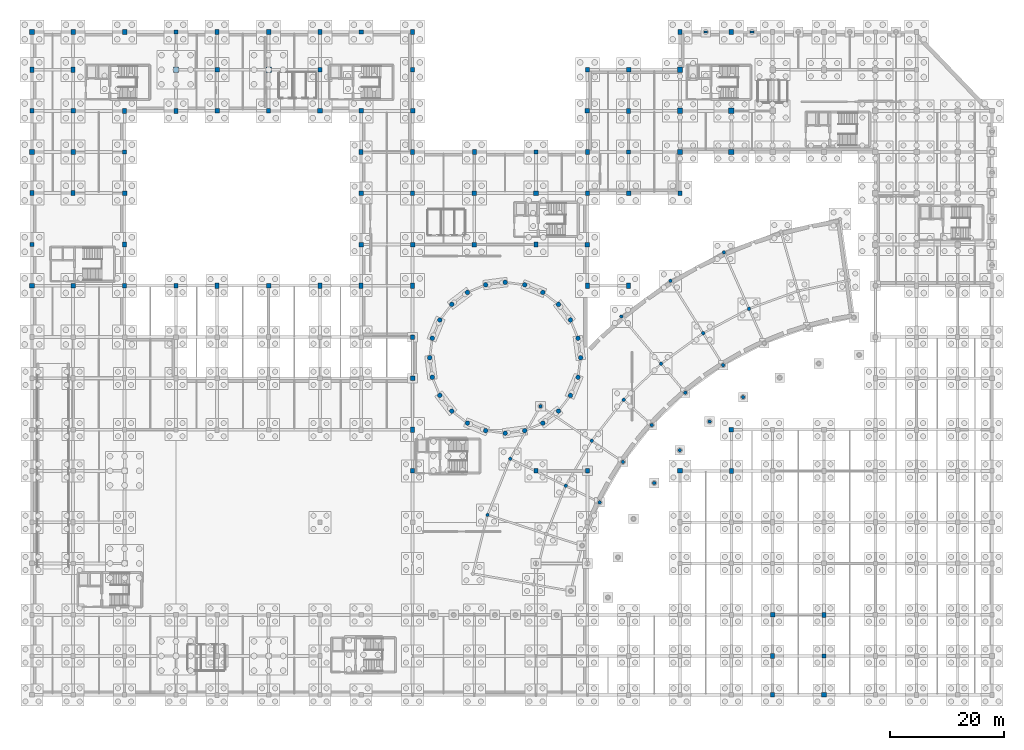
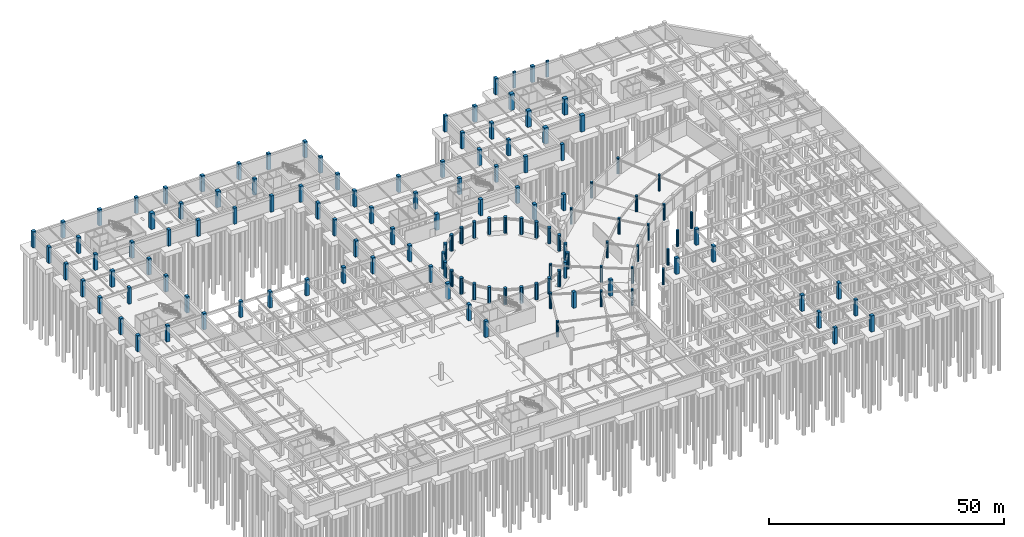
# One storey, part 15 of 42: 135 columns.
"""IFC4 building model written with IfcOpenShell, lengths in metres."""

from ifc_helpers import new_model, si_unit, direction, frame, origin, origin_2d, place, context, subcontext, project, spatial, rectangle, circle, extrude, material, material_profile, profile_set, type_object, element, save


model = new_model("IFC4")

# Units and contexts
model_context = context("Model", 3, precision=1e-05, world=origin(), true_north=direction((0.0, 1.0)))
body_context = subcontext(model_context, "Body", "Model", "MODEL_VIEW")
ifc_project = project(units=[si_unit("LENGTHUNIT", "METRE"), si_unit("AREAUNIT", "SQUARE_METRE"), si_unit("VOLUMEUNIT", "CUBIC_METRE"), si_unit("PLANEANGLEUNIT", "RADIAN"), si_unit("MASSUNIT", "GRAM", prefix="KILO")], contexts=[model_context])

# Site, building, storey
site_placement = place(None, origin())
site = spatial("IfcSite", under=ifc_project, at=site_placement, CompositionType="ELEMENT")
building_placement = place(site_placement, origin())
building = spatial("IfcBuilding", under=site, at=building_placement, Name="Clarverna Civic Hall", CompositionType="ELEMENT")
storey_placement = place(building_placement, frame((0.0, 0.0, -4.199951171875)))
storey = spatial("IfcBuildingStorey", under=building, at=storey_placement, Name="B01", CompositionType="ELEMENT", Elevation=-4.199951171875)

# Columns
ifc_material_1 = material(Name="Concrete C35/45", Category="concrete")
ifc_material_profile_1 = material_profile(ifc_material_1, circle(Radius=0.300048828125, at=origin_2d()), Name="RC D600")
ifc_profile_set_1 = profile_set([ifc_material_profile_1], Name="Concrete C35/45")
column_type_1 = type_object("IfcColumnType", Name="C-CV1", PredefinedType="COLUMN", material=ifc_profile_set_1)
for number, where, z_axis, x_axis, name in (
    (1, (125.480712890625, 67.563232421875, 0.0), (0.0, 0.0, 1.0), (1.0, 0.0, 0.0), "C-CV1-005"),
    (2, (117.44921875, 63.292724609375, 0.0), (0.0, 0.0, 1.0), (1.0, 0.0, 0.0), "C-CV1-007"),
    (3, (110.090087890625, 57.946044921875, 0.0), (0.0, 0.0, 1.0), (1.0, 0.0, 0.0), "C-CV1-009"),
    (4, (103.547119140625, 51.627197265625, 0.0), (0.0, 0.0, 1.0), (1.0, 0.0, 0.0), "C-CV1-011"),
    (5, (97.94677734375, 44.45947265625, 0.0), (0.0, 0.0, 1.0), (1.0, 0.0, 0.0), "C-CV1-013"),
    (6, (93.398681640625, 36.581787109375, 0.0), (0.0, 0.0, 1.0), (1.0, 0.0, 0.0), "C-CV1-015"),
    (7, (121.087890625, 77.429443359375, 0.0), (0.0, 0.0, 1.0), (1.0, 0.0, 0.0), "C-CV1-025"),
    (8, (111.72607421875, 72.45166015625, 0.0), (0.0, 0.0, 1.0), (1.0, 0.0, 0.0), "C-CV1-027"),
    (9, (103.148193359375, 66.219482421875, 0.0), (0.0, 0.0, 1.0), (1.0, 0.0, 0.0), "C-CV1-029"),
    (10, (88.9931640625, 50.498779296875, 0.0), (0.0, 0.0, 1.0), (1.0, 0.0, 0.0), "C-CV1-031"),
    (11, (83.691650390625, 41.316162109375, 0.0), (0.0, 0.0, 1.0), (1.0, 0.0, 0.0), "C-CV1-033"),
    (12, (79.7197265625, 31.4853515625, 0.0), (0.0, 0.0, 1.0), (1.0, 0.0, 0.0), "C-CV1-035"),
    (13, (120.94677734375, 57.695556640625, 0.0), (0.0, 0.0, 1.0), (1.0, 0.0, 0.0), "C-CV1-045"),
    (14, (114.33251953125, 52.89013671875, 0.0), (0.0, 0.0, 1.0), (1.0, 0.0, 0.0), "C-CV1-047"),
    (15, (108.45166015625, 47.211181640625, 0.0), (0.0, 0.0, 1.0), (1.0, 0.0, 0.0), "C-CV1-049"),
    (16, (103.41845703125, 40.768798828125, 0.0), (0.0, 0.0, 1.0), (1.0, 0.0, 0.0), "C-CV1-051"),
    (17, (99.330810546875, 33.6884765625, 0.0), (0.0, 0.0, 1.0), (1.0, 0.0, 0.0), "C-CV1-053"),
    (18, (124.444091796875, 52.098388671875, 0.0), (0.0, 0.0, 1.0), (1.0, 0.0, 0.0), "C-CV1-065"),
    (19, (118.574951171875, 47.834228515625, 0.0), (0.0, 0.0, 1.0), (1.0, 0.0, 0.0), "C-CV1-067"),
    (20, (113.3564453125, 42.794921875, 0.0), (0.0, 0.0, 1.0), (1.0, 0.0, 0.0), "C-CV1-069"),
    (21, (108.889892578125, 37.077880859375, 0.0), (0.0, 0.0, 1.0), (1.0, 0.0, 0.0), "C-CV1-071"),
):
    element("IfcColumn", number, at=place(storey_placement, frame(where, z_axis=z_axis, x_axis=x_axis)), inside=storey, type_object=column_type_1, Name=name, PredefinedType="COLUMN", context=body_context, shape_type="SweptSolid", body=[
        extrude(circle(Radius=0.300048828125, at=origin_2d()), origin(), (0.0, 0.0, 1.0), 4.199951171875),
    ])
ifc_material_profile_2 = material_profile(ifc_material_1, circle(Radius=0.39990234375, at=origin_2d()), Name="RC D800")
ifc_profile_set_2 = profile_set([ifc_material_profile_2], Name="Concrete C35/45")
column_type_2 = type_object("IfcColumnType", Name="C-DR1", PredefinedType="COLUMN", material=ifc_profile_set_2)
for number, where, z_axis, x_axis, name in (
    (22, (96.0, 59.0, 0.0), (0.0, 0.0, 1.0), (1.0, 0.0, 0.0), "C-DR1-001"),
    (23, (95.55029296875, 62.41650390625, 0.0), (0.0, 0.0, 1.0), (1.0, 0.0, 0.0), "C-DR1-003"),
    (24, (94.2314453125, 65.60009765625, 0.0), (0.0, 0.0, 1.0), (1.0, 0.0, 0.0), "C-DR1-005"),
    (25, (92.1337890625, 68.333740234375, 0.0), (0.0, 0.0, 1.0), (1.0, 0.0, 0.0), "C-DR1-007"),
    (26, (89.39990234375, 70.431396484375, 0.0), (0.0, 0.0, 1.0), (1.0, 0.0, 0.0), "C-DR1-009"),
    (27, (86.21630859375, 71.750244140625, 0.0), (0.0, 0.0, 1.0), (1.0, 0.0, 0.0), "C-DR1-011"),
    (28, (82.800048828125, 72.199951171875, 0.0), (0.0, 0.0, 1.0), (1.0, 0.0, 0.0), "C-DR1-013"),
    (29, (79.383544921875, 71.750244140625, 0.0), (0.0, 0.0, 1.0), (1.0, 0.0, 0.0), "C-DR1-015"),
    (30, (76.199951171875, 70.431396484375, 0.0), (0.0, 0.0, 1.0), (1.0, 0.0, 0.0), "C-DR1-017"),
    (31, (73.46630859375, 68.333740234375, 0.0), (0.0, 0.0, 1.0), (1.0, 0.0, 0.0), "C-DR1-019"),
    (32, (71.368408203125, 65.60009765625, 0.0), (0.0, 0.0, 1.0), (1.0, 0.0, 0.0), "C-DR1-021"),
    (33, (70.0498046875, 62.41650390625, 0.0), (0.0, 0.0, 1.0), (1.0, 0.0, 0.0), "C-DR1-023"),
    (34, (69.60009765625, 59.0, 0.0), (0.0, 0.0, 1.0), (1.0, 0.0, 0.0), "C-DR1-025"),
    (35, (70.0498046875, 55.58349609375, 0.0), (0.0, 0.0, 1.0), (1.0, 0.0, 0.0), "C-DR1-027"),
    (36, (71.368408203125, 52.39990234375, 0.0), (0.0, 0.0, 1.0), (1.0, 0.0, 0.0), "C-DR1-029"),
    (37, (73.46630859375, 49.666259765625, 0.0), (0.0, 0.0, 1.0), (1.0, 0.0, 0.0), "C-DR1-031"),
    (38, (76.199951171875, 47.568603515625, 0.0), (0.0, 0.0, 1.0), (1.0, 0.0, 0.0), "C-DR1-033"),
    (39, (79.383544921875, 46.249755859375, 0.0), (0.0, 0.0, 1.0), (1.0, 0.0, 0.0), "C-DR1-035"),
    (40, (82.800048828125, 45.800048828125, 0.0), (0.0, 0.0, 1.0), (1.0, 0.0, 0.0), "C-DR1-037"),
    (41, (86.21630859375, 46.249755859375, 0.0), (0.0, 0.0, 1.0), (1.0, 0.0, 0.0), "C-DR1-039"),
    (42, (89.39990234375, 47.568603515625, 0.0), (0.0, 0.0, 1.0), (1.0, 0.0, 0.0), "C-DR1-041"),
    (43, (92.1337890625, 49.666259765625, 0.0), (0.0, 0.0, 1.0), (1.0, 0.0, 0.0), "C-DR1-043"),
    (44, (94.2314453125, 52.39990234375, 0.0), (0.0, 0.0, 1.0), (1.0, 0.0, 0.0), "C-DR1-045"),
    (45, (95.55029296875, 55.58349609375, 0.0), (0.0, 0.0, 1.0), (1.0, 0.0, 0.0), "C-DR1-047"),
):
    element("IfcColumn", number, at=place(storey_placement, frame(where, z_axis=z_axis, x_axis=x_axis)), inside=storey, type_object=column_type_2, Name=name, PredefinedType="COLUMN", context=body_context, shape_type="SweptSolid", body=[
        extrude(circle(Radius=0.39990234375, at=origin_2d()), origin(), (0.0, 0.0, 1.0), 4.199951171875),
    ])
ifc_material_2 = material(Name="Precast concrete C40/50", Category="concrete")
ifc_material_profile_3 = material_profile(ifc_material_2, rectangle(XDim=0.64990234375, YDim=0.419921875, at=origin_2d()), Name="PILASTER 650x420")
ifc_profile_set_3 = profile_set([ifc_material_profile_3], Name="Precast concrete C40/50")
column_type_3 = type_object("IfcColumnType", Name="C-PL1", PredefinedType="PILASTER", material=ifc_profile_set_3)
for number, where, z_axis, x_axis, name in (
    (46, (117.89990234375, 116.0, 0.0), (0.0, 0.0, 1.0), (1.0, 0.0, 0.0), "C-PL1-001"),
    (47, (126.0, 116.0, 0.0), (0.0, 0.0, 1.0), (1.0, 0.0, 0.0), "C-PL1-008"),
):
    element("IfcColumn", number, at=place(storey_placement, frame(where, z_axis=z_axis, x_axis=x_axis)), inside=storey, type_object=column_type_3, Name=name, PredefinedType="PILASTER", context=body_context, shape_type="SweptSolid", body=[
        extrude(rectangle(XDim=0.64990234375, YDim=0.419921875, at=origin_2d()), origin(), (0.0, 0.0, 1.0), 4.199951171875),
    ])
ifc_material_3 = material(Name="Concrete C40/50", Category="concrete")
ifc_material_profile_4 = material_profile(ifc_material_3, rectangle(XDim=0.949951171875, YDim=0.949951171875, at=origin_2d()), Name="RC 950x950")
ifc_profile_set_4 = profile_set([ifc_material_profile_4], Name="Concrete C40/50")
column_type_4 = type_object("IfcColumnType", Name="C-RC1", PredefinedType="COLUMN", material=ifc_profile_set_4)
for number, where, z_axis, x_axis, name in (
    (48, (25.199951171875, 109.39990234375, 0.0), (0.0, 0.0, 1.0), (1.0, 0.0, 0.0), "C-RC1-004"),
    (49, (41.39990234375, 109.39990234375, 0.0), (0.0, 0.0, 1.0), (1.0, 0.0, 0.0), "C-RC1-006"),
    (50, (113.39990234375, 95.0, 0.0), (0.0, 0.0, 1.0), (1.0, 0.0, 0.0), "C-RC1-007"),
    (51, (113.39990234375, 102.199951171875, 0.0), (0.0, 0.0, 1.0), (1.0, 0.0, 0.0), "C-RC1-008"),
    (52, (113.39990234375, 109.39990234375, 0.0), (0.0, 0.0, 1.0), (1.0, 0.0, 0.0), "C-RC1-009"),
    (53, (122.39990234375, 95.0, 0.0), (0.0, 0.0, 1.0), (1.0, 0.0, 0.0), "C-RC1-010"),
    (54, (122.39990234375, 102.199951171875, 0.0), (0.0, 0.0, 1.0), (1.0, 0.0, 0.0), "C-RC1-011"),
):
    element("IfcColumn", number, at=place(storey_placement, frame(where, z_axis=z_axis, x_axis=x_axis)), inside=storey, type_object=column_type_4, Name=name, PredefinedType="COLUMN", context=body_context, shape_type="SweptSolid", body=[
        extrude(rectangle(XDim=0.949951171875, YDim=0.949951171875, at=origin_2d()), origin(), (0.0, 0.0, 1.0), 4.199951171875),
    ])
ifc_material_profile_5 = material_profile(ifc_material_3, rectangle(XDim=0.800048828125, YDim=0.800048828125, at=origin_2d()), Name="RC 800x800")
ifc_profile_set_5 = profile_set([ifc_material_profile_5], Name="Concrete C40/50")
column_type_5 = type_object("IfcColumnType", Name="C-RC4", PredefinedType="COLUMN", material=ifc_profile_set_5)
for number, where, z_axis, x_axis, name in (
    (55, (0.0, 71.60009765625, 0.0), (0.0, 0.0, 1.0), (1.0, 0.0, 0.0), "C-RC4-004"),
    (56, (0.0, 95.0, 0.0), (0.0, 0.0, 1.0), (1.0, 0.0, 0.0), "C-RC4-005"),
    (57, (0.0, 116.0, 0.0), (0.0, 0.0, 1.0), (1.0, 0.0, 0.0), "C-RC4-006"),
    (58, (7.199951171875, 95.0, 0.0), (0.0, 0.0, 1.0), (1.0, 0.0, 0.0), "C-RC4-010"),
    (59, (7.199951171875, 116.0, 0.0), (0.0, 0.0, 1.0), (1.0, 0.0, 0.0), "C-RC4-011"),
    (60, (16.199951171875, 87.800048828125, 0.0), (0.0, 0.0, 1.0), (1.0, 0.0, 0.0), "C-RC4-016"),
    (61, (16.199951171875, 116.0, 0.0), (0.0, 0.0, 1.0), (1.0, 0.0, 0.0), "C-RC4-017"),
    (62, (32.39990234375, 102.199951171875, 0.0), (0.0, 0.0, 1.0), (1.0, 0.0, 0.0), "C-RC4-024"),
    (63, (41.39990234375, 71.60009765625, 0.0), (0.0, 0.0, 1.0), (1.0, 0.0, 0.0), "C-RC4-028"),
    (64, (41.39990234375, 116.0, 0.0), (0.0, 0.0, 1.0), (1.0, 0.0, 0.0), "C-RC4-030"),
    (65, (50.39990234375, 102.199951171875, 0.0), (0.0, 0.0, 1.0), (1.0, 0.0, 0.0), "C-RC4-033"),
    (66, (57.60009765625, 78.800048828125, 0.0), (0.0, 0.0, 1.0), (1.0, 0.0, 0.0), "C-RC4-036"),
    (67, (57.60009765625, 102.199951171875, 0.0), (0.0, 0.0, 1.0), (1.0, 0.0, 0.0), "C-RC4-037"),
    (68, (66.60009765625, 55.39990234375, 0.0), (0.0, 0.0, 1.0), (1.0, 0.0, 0.0), "C-RC4-039"),
    (69, (66.60009765625, 78.800048828125, 0.0), (0.0, 0.0, 1.0), (1.0, 0.0, 0.0), "C-RC4-040"),
    (70, (66.60009765625, 102.199951171875, 0.0), (0.0, 0.0, 1.0), (1.0, 0.0, 0.0), "C-RC4-041"),
    (71, (77.39990234375, 78.800048828125, 0.0), (0.0, 0.0, 1.0), (1.0, 0.0, 0.0), "C-RC4-042"),
    (72, (88.199951171875, 87.800048828125, 0.0), (0.0, 0.0, 1.0), (1.0, 0.0, 0.0), "C-RC4-043"),
    (73, (97.199951171875, 78.800048828125, 0.0), (0.0, 0.0, 1.0), (1.0, 0.0, 0.0), "C-RC4-045"),
    (74, (97.199951171875, 102.199951171875, 0.0), (0.0, 0.0, 1.0), (1.0, 0.0, 0.0), "C-RC4-046"),
    (75, (104.39990234375, 87.800048828125, 0.0), (0.0, 0.0, 1.0), (1.0, 0.0, 0.0), "C-RC4-048"),
    (76, (104.39990234375, 109.39990234375, 0.0), (0.0, 0.0, 1.0), (1.0, 0.0, 0.0), "C-RC4-049"),
    (77, (113.39990234375, 39.199951171875, 0.0), (0.0, 0.0, 1.0), (1.0, 0.0, 0.0), "C-RC4-051"),
    (78, (122.39990234375, 46.39990234375, 0.0), (0.0, 0.0, 1.0), (1.0, 0.0, 0.0), "C-RC4-057"),
    (79, (122.39990234375, 116.0, 0.0), (0.0, 0.0, 1.0), (1.0, 0.0, 0.0), "C-RC4-060"),
    (80, (129.60009765625, 14.0, 0.0), (0.0, 0.0, 1.0), (1.0, 0.0, 0.0), "C-RC4-061"),
    (81, (138.60009765625, 0.0, 0.0), (0.0, 0.0, 1.0), (1.0, 0.0, 0.0), "C-RC4-066"),
):
    element("IfcColumn", number, at=place(storey_placement, frame(where, z_axis=z_axis, x_axis=x_axis)), inside=storey, type_object=column_type_5, Name=name, PredefinedType="COLUMN", context=body_context, shape_type="SweptSolid", body=[
        extrude(rectangle(XDim=0.800048828125, YDim=0.800048828125, at=origin_2d()), origin(), (0.0, 0.0, 1.0), 4.199951171875),
    ])
ifc_material_profile_6 = material_profile(ifc_material_3, rectangle(XDim=0.75, YDim=0.75, at=origin_2d()), Name="RC 750x750")
ifc_profile_set_6 = profile_set([ifc_material_profile_6], Name="Concrete C40/50")
column_type_6 = type_object("IfcColumnType", Name="C-RC5", PredefinedType="COLUMN", material=ifc_profile_set_6)
for number, where, z_axis, x_axis, name in (
    (82, (0.0, 78.800048828125, 0.0), (0.0, 0.0, 1.0), (1.0, 0.0, 0.0), "C-RC5-004"),
    (83, (0.0, 102.199951171875, 0.0), (0.0, 0.0, 1.0), (1.0, 0.0, 0.0), "C-RC5-005"),
    (84, (7.199951171875, 71.60009765625, 0.0), (0.0, 0.0, 1.0), (1.0, 0.0, 0.0), "C-RC5-009"),
    (85, (7.199951171875, 102.199951171875, 0.0), (0.0, 0.0, 1.0), (1.0, 0.0, 0.0), "C-RC5-010"),
    (86, (16.199951171875, 71.60009765625, 0.0), (0.0, 0.0, 1.0), (1.0, 0.0, 0.0), "C-RC5-015"),
    (87, (16.199951171875, 95.0, 0.0), (0.0, 0.0, 1.0), (1.0, 0.0, 0.0), "C-RC5-016"),
    (88, (25.199951171875, 71.60009765625, 0.0), (0.0, 0.0, 1.0), (1.0, 0.0, 0.0), "C-RC5-020"),
    (89, (25.199951171875, 116.0, 0.0), (0.0, 0.0, 1.0), (1.0, 0.0, 0.0), "C-RC5-022"),
    (90, (32.39990234375, 109.39990234375, 0.0), (0.0, 0.0, 1.0), (1.0, 0.0, 0.0), "C-RC5-025"),
    (91, (41.39990234375, 102.199951171875, 0.0), (0.0, 0.0, 1.0), (1.0, 0.0, 0.0), "C-RC5-028"),
    (92, (50.39990234375, 109.39990234375, 0.0), (0.0, 0.0, 1.0), (1.0, 0.0, 0.0), "C-RC5-033"),
    (93, (57.60009765625, 87.800048828125, 0.0), (0.0, 0.0, 1.0), (1.0, 0.0, 0.0), "C-RC5-036"),
    (94, (57.60009765625, 116.0, 0.0), (0.0, 0.0, 1.0), (1.0, 0.0, 0.0), "C-RC5-037"),
    (95, (66.60009765625, 39.199951171875, 0.0), (0.0, 0.0, 1.0), (1.0, 0.0, 0.0), "C-RC5-038"),
    (96, (66.60009765625, 62.60009765625, 0.0), (0.0, 0.0, 1.0), (1.0, 0.0, 0.0), "C-RC5-039"),
    (97, (66.60009765625, 87.800048828125, 0.0), (0.0, 0.0, 1.0), (1.0, 0.0, 0.0), "C-RC5-040"),
    (98, (66.60009765625, 109.39990234375, 0.0), (0.0, 0.0, 1.0), (1.0, 0.0, 0.0), "C-RC5-041"),
    (99, (77.39990234375, 87.800048828125, 0.0), (0.0, 0.0, 1.0), (1.0, 0.0, 0.0), "C-RC5-042"),
    (100, (88.199951171875, 39.199951171875, 0.0), (0.0, 0.0, 1.0), (1.0, 0.0, 0.0), "C-RC5-043"),
    (101, (88.199951171875, 95.0, 0.0), (0.0, 0.0, 1.0), (1.0, 0.0, 0.0), "C-RC5-044"),
    (102, (97.199951171875, 39.199951171875, 0.0), (0.0, 0.0, 1.0), (1.0, 0.0, 0.0), "C-RC5-045"),
    (103, (97.199951171875, 87.800048828125, 0.0), (0.0, 0.0, 1.0), (1.0, 0.0, 0.0), "C-RC5-046"),
    (104, (97.199951171875, 109.39990234375, 0.0), (0.0, 0.0, 1.0), (1.0, 0.0, 0.0), "C-RC5-047"),
    (105, (104.39990234375, 95.0, 0.0), (0.0, 0.0, 1.0), (1.0, 0.0, 0.0), "C-RC5-049"),
    (106, (113.39990234375, 87.800048828125, 0.0), (0.0, 0.0, 1.0), (1.0, 0.0, 0.0), "C-RC5-052"),
    (107, (129.60009765625, 0.0, 0.0), (0.0, 0.0, 1.0), (1.0, 0.0, 0.0), "C-RC5-060"),
    (108, (138.60009765625, 6.800048828125, 0.0), (0.0, 0.0, 1.0), (1.0, 0.0, 0.0), "C-RC5-066"),
):
    element("IfcColumn", number, at=place(storey_placement, frame(where, z_axis=z_axis, x_axis=x_axis)), inside=storey, type_object=column_type_6, Name=name, PredefinedType="COLUMN", context=body_context, shape_type="SweptSolid", body=[
        extrude(rectangle(XDim=0.75, YDim=0.75, at=origin_2d()), origin(), (0.0, 0.0, 1.0), 4.199951171875),
    ])
ifc_material_profile_7 = material_profile(ifc_material_3, rectangle(XDim=0.699951171875, YDim=0.89990234375, at=origin_2d()), Name="RC 700x900")
ifc_profile_set_7 = profile_set([ifc_material_profile_7], Name="Concrete C40/50")
column_type_7 = type_object("IfcColumnType", Name="C-RC6", PredefinedType="COLUMN", material=ifc_profile_set_7)
for number, where, z_axis, x_axis, name in (
    (109, (0.0, 87.800048828125, 0.0), (0.0, 0.0, 1.0), (1.0, 0.0, 0.0), "C-RC6-008"),
    (110, (0.0, 109.39990234375, 0.0), (0.0, 0.0, 1.0), (1.0, 0.0, 0.0), "C-RC6-010"),
    (111, (7.199951171875, 87.800048828125, 0.0), (0.0, 0.0, 1.0), (1.0, 0.0, 0.0), "C-RC6-018"),
    (112, (7.199951171875, 109.39990234375, 0.0), (0.0, 0.0, 1.0), (1.0, 0.0, 0.0), "C-RC6-020"),
    (113, (16.199951171875, 78.800048828125, 0.0), (0.0, 0.0, 1.0), (1.0, 0.0, 0.0), "C-RC6-027"),
    (114, (16.199951171875, 102.199951171875, 0.0), (0.0, 0.0, 1.0), (1.0, 0.0, 0.0), "C-RC6-029"),
    (115, (25.199951171875, 102.199951171875, 0.0), (0.0, 0.0, 1.0), (1.0, 0.0, 0.0), "C-RC6-034"),
    (116, (32.39990234375, 71.60009765625, 0.0), (0.0, 0.0, 1.0), (1.0, 0.0, 0.0), "C-RC6-038"),
    (117, (32.39990234375, 116.0, 0.0), (0.0, 0.0, 1.0), (1.0, 0.0, 0.0), "C-RC6-040"),
    (118, (50.39990234375, 71.60009765625, 0.0), (0.0, 0.0, 1.0), (1.0, 0.0, 0.0), "C-RC6-051"),
    (119, (50.39990234375, 116.0, 0.0), (0.0, 0.0, 1.0), (1.0, 0.0, 0.0), "C-RC6-053"),
    (120, (57.60009765625, 71.60009765625, 0.0), (0.0, 0.0, 1.0), (1.0, 0.0, 0.0), "C-RC6-057"),
    (121, (57.60009765625, 95.0, 0.0), (0.0, 0.0, 1.0), (1.0, 0.0, 0.0), "C-RC6-059"),
    (122, (66.60009765625, 46.39990234375, 0.0), (0.0, 0.0, 1.0), (1.0, 0.0, 0.0), "C-RC6-062"),
    (123, (66.60009765625, 71.60009765625, 0.0), (0.0, 0.0, 1.0), (1.0, 0.0, 0.0), "C-RC6-064"),
    (124, (66.60009765625, 95.0, 0.0), (0.0, 0.0, 1.0), (1.0, 0.0, 0.0), "C-RC6-066"),
    (125, (66.60009765625, 116.0, 0.0), (0.0, 0.0, 1.0), (1.0, 0.0, 0.0), "C-RC6-068"),
    (126, (77.39990234375, 95.0, 0.0), (0.0, 0.0, 1.0), (1.0, 0.0, 0.0), "C-RC6-070"),
    (127, (88.199951171875, 78.800048828125, 0.0), (0.0, 0.0, 1.0), (1.0, 0.0, 0.0), "C-RC6-071"),
    (128, (97.199951171875, 71.60009765625, 0.0), (0.0, 0.0, 1.0), (1.0, 0.0, 0.0), "C-RC6-074"),
    (129, (97.199951171875, 95.0, 0.0), (0.0, 0.0, 1.0), (1.0, 0.0, 0.0), "C-RC6-076"),
    (130, (104.39990234375, 71.60009765625, 0.0), (0.0, 0.0, 1.0), (1.0, 0.0, 0.0), "C-RC6-079"),
    (131, (104.39990234375, 102.199951171875, 0.0), (0.0, 0.0, 1.0), (1.0, 0.0, 0.0), "C-RC6-081"),
    (132, (113.39990234375, 116.0, 0.0), (0.0, 0.0, 1.0), (1.0, 0.0, 0.0), "C-RC6-085"),
    (133, (122.39990234375, 39.199951171875, 0.0), (0.0, 0.0, 1.0), (1.0, 0.0, 0.0), "C-RC6-087"),
    (134, (129.60009765625, 6.800048828125, 0.0), (0.0, 0.0, 1.0), (1.0, 0.0, 0.0), "C-RC6-089"),
    (135, (138.60009765625, 14.0, 0.0), (0.0, 0.0, 1.0), (1.0, 0.0, 0.0), "C-RC6-092"),
):
    element("IfcColumn", number, at=place(storey_placement, frame(where, z_axis=z_axis, x_axis=x_axis)), inside=storey, type_object=column_type_7, Name=name, PredefinedType="COLUMN", context=body_context, shape_type="SweptSolid", body=[
        extrude(rectangle(XDim=0.699951171875, YDim=0.89990234375, at=origin_2d()), origin(), (0.0, 0.0, 1.0), 4.199951171875),
    ])

save(model, "model.ifc")
